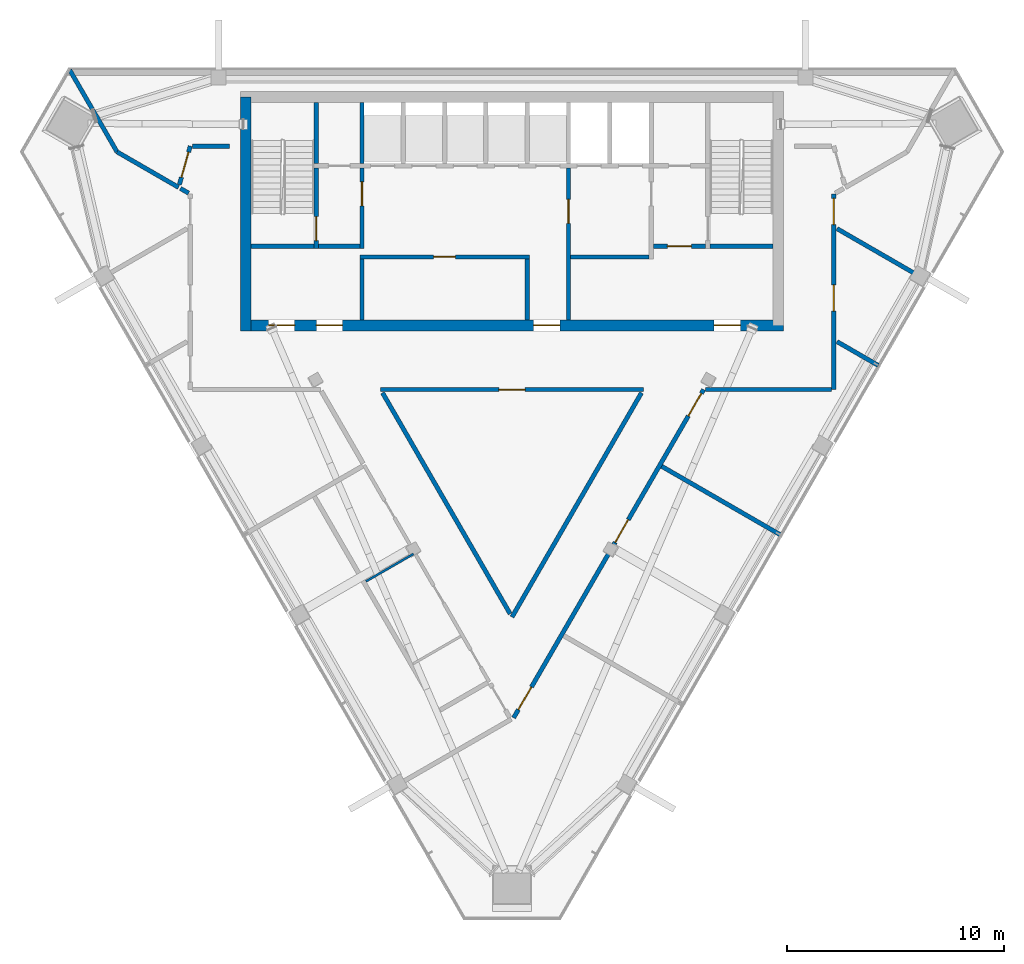
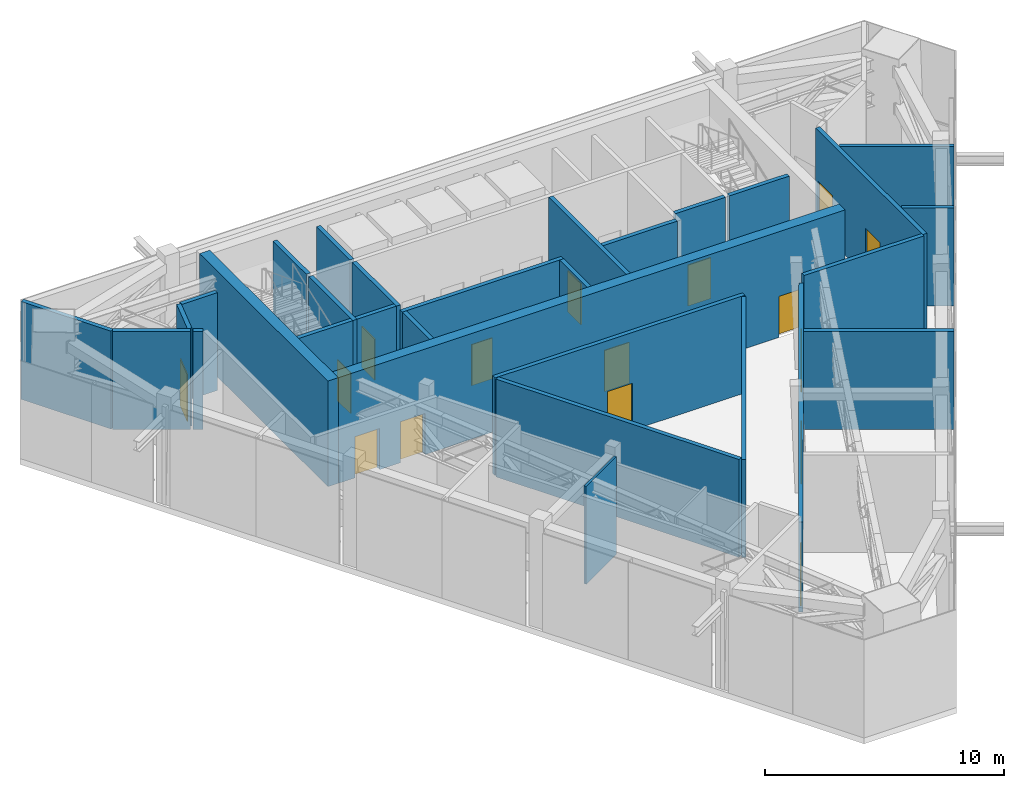
# One storey, part 8 of 13: 30 walls, 16 doors, 16 openings.
"""IFC4 building model written with IfcOpenShell, lengths in metres."""

from ifc_helpers import new_model, si_unit, direction, frame, frame_2d, origin, place, context, subcontext, project, spatial, rectangle, extrude, material, layer, layer_set, type_object, element, fill, save


model = new_model("IFC4")

# Units and contexts
model_context = context("Model", 3, precision=1e-05, world=origin(), true_north=direction((0.0, 1.0)))
body_context = subcontext(model_context, "Body", "Model", "MODEL_VIEW")
ifc_project = project(units=[si_unit("LENGTHUNIT", "METRE"), si_unit("AREAUNIT", "SQUARE_METRE"), si_unit("VOLUMEUNIT", "CUBIC_METRE"), si_unit("PLANEANGLEUNIT", "RADIAN"), si_unit("MASSUNIT", "GRAM", prefix="KILO")], contexts=[model_context])

# Site, building, storey
site_placement = place(None, origin())
site = spatial("IfcSite", under=ifc_project, at=site_placement, CompositionType="ELEMENT")
building_placement = place(site_placement, origin())
building = spatial("IfcBuilding", under=site, at=building_placement, Name="Altiplano Prism Tower", CompositionType="ELEMENT")
storey_placement = place(building_placement, frame((0.0, 0.0, 286.0)))
storey = spatial("IfcBuildingStorey", under=building, at=storey_placement, Name="L74", CompositionType="ELEMENT", Elevation=286.0)

# Wall, openings, doors
ifc_material_1 = material(Name="Concrete C60/75", Category="concrete")
ifc_layer_1 = layer(ifc_material_1, 0.5)
ifc_layer_set_1 = layer_set([ifc_layer_1], Name="Concrete C60/75")
wall_type_1 = type_object("IfcWallType", Name="Core wall 500", PredefinedType="SHEAR", material=ifc_layer_set_1)
wall_1_placement = place(storey_placement, frame((72.75, 93.14990234375, 0.0), z_axis=(0.0, 0.0, 1.0), x_axis=(1.0, 0.0, 0.0)))
wall_1 = element("IfcWall", 1, at=wall_1_placement, inside=storey, type_object=wall_type_1, Name="Core wall S L74", PredefinedType="SHEAR", context=body_context, shape_type="SweptSolid", body=[
    extrude(rectangle(XDim=24.75, YDim=0.5, at=frame_2d((12.375, 0.0))), origin(), (0.0, 0.0, 1.0), 5.39990234375),
])
opening_1_placement = place(wall_1_placement, frame((1.050048828125, 0.0, 0.0)))
opening_1 = element("IfcOpeningElement", 2, at=opening_1_placement, cuts=wall_1, Name="Opening D3625", PredefinedType="OPENING", context=body_context, shape_type="SweptSolid", body=[
    extrude(rectangle(XDim=1.199951171875, YDim=2.10009765625, at=frame_2d((0.60009765625, 1.050048828125))), frame((0.0, 0.260498046875, 0.0), z_axis=(0.0, -1.0, 0.0), x_axis=(1.0, 0.0, 0.0)), (0.0, 0.0, 1.0), 0.52099609375),
])
opening_2_placement = place(wall_1_placement, frame((3.25, 0.0, 0.0)))
opening_2 = element("IfcOpeningElement", 3, at=opening_2_placement, cuts=wall_1, Name="Opening D3626", PredefinedType="OPENING", context=body_context, shape_type="SweptSolid", body=[
    extrude(rectangle(XDim=1.199951171875, YDim=2.10009765625, at=frame_2d((0.60009765625, 1.050048828125))), frame((0.0, 0.260498046875, 0.0), z_axis=(0.0, -1.0, 0.0), x_axis=(1.0, 0.0, 0.0)), (0.0, 0.0, 1.0), 0.52099609375),
])
opening_3_placement = place(wall_1_placement, frame((13.25, 0.0, 0.0)))
opening_3 = element("IfcOpeningElement", 4, at=opening_3_placement, cuts=wall_1, Name="Opening D3627", PredefinedType="OPENING", context=body_context, shape_type="SweptSolid", body=[
    extrude(rectangle(XDim=1.199951171875, YDim=2.10009765625, at=frame_2d((0.60009765625, 1.050048828125))), frame((0.0, 0.260498046875, 0.0), z_axis=(0.0, -1.0, 0.0), x_axis=(1.0, 0.0, 0.0)), (0.0, 0.0, 1.0), 0.52099609375),
])
opening_4_placement = place(wall_1_placement, frame((21.550048828125, 0.0, 0.0)))
opening_4 = element("IfcOpeningElement", 5, at=opening_4_placement, cuts=wall_1, Name="Opening D3630", PredefinedType="OPENING", context=body_context, shape_type="SweptSolid", body=[
    extrude(rectangle(XDim=1.199951171875, YDim=2.10009765625, at=frame_2d((0.60009765625, 1.050048828125))), frame((0.0, 0.260498046875, 0.0), z_axis=(0.0, -1.0, 0.0), x_axis=(1.0, 0.0, 0.0)), (0.0, 0.0, 1.0), 0.52099609375),
])
ifc_material_2 = material(Name="Fire-rated steel door", Category="steel")
door_type_1 = type_object("IfcDoorType", Name="Core room door 1200 x 2100", OperationType="NOTDEFINED", PredefinedType="NOTDEFINED", material=ifc_material_2)
door_1_placement = place(opening_4_placement, origin())
door_1 = element("IfcDoor", 6, at=door_1_placement, inside=storey, type_object=door_type_1, Name="Core room door D3630", OperationType="SINGLE_SWING_RIGHT", OverallHeight=2.10009765625, OverallWidth=1.199951171875, PredefinedType="NOTDEFINED", context=body_context, shape_type="SweptSolid", body=[
    extrude(rectangle(XDim=1.199951171875, YDim=2.10009765625, at=frame_2d((0.60009765625, 1.050048828125))), frame((0.0, 0.02490234375, 0.0), z_axis=(0.0, -1.0, 0.0), x_axis=(1.0, 0.0, 0.0)), (0.0, 0.0, 1.0), 0.050048828125),
])
fill(opening_4, door_1)
door_type_2 = type_object("IfcDoorType", Name="Lobby fire door 1200 x 2100", OperationType="NOTDEFINED", PredefinedType="NOTDEFINED", material=ifc_material_2)
door_2_placement = place(opening_1_placement, origin())
door_2 = element("IfcDoor", 7, at=door_2_placement, inside=storey, type_object=door_type_2, Name="Lobby fire door D3625", OperationType="SINGLE_SWING_RIGHT", OverallHeight=2.10009765625, OverallWidth=1.199951171875, PredefinedType="NOTDEFINED", context=body_context, shape_type="SweptSolid", body=[
    extrude(rectangle(XDim=1.199951171875, YDim=2.10009765625, at=frame_2d((0.60009765625, 1.050048828125))), frame((0.0, 0.02490234375, 0.0), z_axis=(0.0, -1.0, 0.0), x_axis=(1.0, 0.0, 0.0)), (0.0, 0.0, 1.0), 0.050048828125),
])
fill(opening_1, door_2)
door_3_placement = place(opening_2_placement, origin())
door_3 = element("IfcDoor", 8, at=door_3_placement, inside=storey, type_object=door_type_2, Name="Lobby fire door D3626", OperationType="SINGLE_SWING_LEFT", OverallHeight=2.10009765625, OverallWidth=1.199951171875, PredefinedType="NOTDEFINED", context=body_context, shape_type="SweptSolid", body=[
    extrude(rectangle(XDim=1.199951171875, YDim=2.10009765625, at=frame_2d((0.60009765625, 1.050048828125))), frame((0.0, 0.02490234375, 0.0), z_axis=(0.0, -1.0, 0.0), x_axis=(1.0, 0.0, 0.0)), (0.0, 0.0, 1.0), 0.050048828125),
])
fill(opening_2, door_3)
door_4_placement = place(opening_3_placement, origin())
door_4 = element("IfcDoor", 9, at=door_4_placement, inside=storey, type_object=door_type_2, Name="Lobby fire door D3627", OperationType="SINGLE_SWING_RIGHT", OverallHeight=2.10009765625, OverallWidth=1.199951171875, PredefinedType="NOTDEFINED", context=body_context, shape_type="SweptSolid", body=[
    extrude(rectangle(XDim=1.199951171875, YDim=2.10009765625, at=frame_2d((0.60009765625, 1.050048828125))), frame((0.0, 0.02490234375, 0.0), z_axis=(0.0, -1.0, 0.0), x_axis=(1.0, 0.0, 0.0)), (0.0, 0.0, 1.0), 0.050048828125),
])
fill(opening_3, door_4)

# Walls
wall_2_placement = place(storey_placement, frame((72.75, 103.64990234375, 0.0), z_axis=(0.0, 0.0, 1.0), x_axis=(0.0, -1.0, 0.0)))
element("IfcWall", 10, at=wall_2_placement, inside=storey, type_object=wall_type_1, Name="Core wall W L74", PredefinedType="SHEAR", context=body_context, shape_type="SweptSolid", body=[
    extrude(rectangle(XDim=10.75, YDim=0.5, at=frame_2d((5.375, 0.0))), origin(), (0.0, 0.0, 1.0), 5.39990234375),
])
ifc_material_3 = material(Name="Plasterboard on steel stud", Category="steel")
ifc_layer_2 = layer(ifc_material_3, 0.10009765625)
ifc_layer_set_2 = layer_set([ifc_layer_2], Name="Plasterboard on steel stud")
wall_type_2 = type_object("IfcWallType", Name="Partition 100 wet", PredefinedType="PARTITIONING", material=ifc_layer_set_2)
wall_3_placement = place(storey_placement, frame((78.27978515625, 81.375, 0.0), z_axis=(0.0, 0.0, 1.0), x_axis=(0.866039067339, 0.499976333282, 0.0)))
element("IfcWall", 11, at=wall_3_placement, inside=storey, type_object=wall_type_2, Name="Partition P03 L74 032", PredefinedType="PARTITIONING", context=body_context, shape_type="SweptSolid", body=[
    extrude(rectangle(XDim=2.52490234375, YDim=0.10009765625, at=frame_2d((1.262451171875, 0.0))), origin(), (0.0, 0.0, 1.0), 5.0),
])
ifc_layer_3 = layer(ifc_material_3, 0.199951171875)
ifc_layer_set_3 = layer_set([ifc_layer_3], Name="Plasterboard on steel stud")
wall_type_3 = type_object("IfcWallType", Name="Partition 200 plant", PredefinedType="PARTITIONING", material=ifc_layer_set_3)
wall_4_placement = place(storey_placement, frame((69.746826171875, 99.451416015625, 0.0), z_axis=(0.0, 0.0, 1.0), x_axis=(0.866101796549, -0.4998676605, 0.0)))
element("IfcWall", 12, at=wall_4_placement, inside=storey, type_object=wall_type_3, Name="Partition P04 L74 001", PredefinedType="PARTITIONING", context=body_context, shape_type="SweptSolid", body=[
    extrude(rectangle(XDim=0.4365234375, YDim=0.199951171875, at=frame_2d((0.21826171875, 0.0))), origin(), (0.0, 0.0, 1.0), 5.0),
])

# Wall, openings, doors
wall_5_placement = place(storey_placement, frame((85.07421875, 75.099365234375, 0.0), z_axis=(0.0, 0.0, 1.0), x_axis=(0.500888985605, 0.865511538976, 0.0)))
wall_5 = element("IfcWall", 13, at=wall_5_placement, inside=storey, type_object=wall_type_3, Name="Partition P04 L74 006", PredefinedType="PARTITIONING", context=body_context, shape_type="SweptSolid", body=[
    extrude(rectangle(XDim=17.447021484375, YDim=0.199951171875, at=frame_2d((8.7236328125, 0.0))), origin(), (0.0, 0.0, 1.0), 4.60009765625),
])
opening_5_placement = place(wall_5_placement, frame((0.43994140625, 0.0, 0.0)))
opening_5 = element("IfcOpeningElement", 14, at=opening_5_placement, cuts=wall_5, Name="Opening D2295", PredefinedType="OPENING", context=body_context, shape_type="SweptSolid", body=[
    extrude(rectangle(XDim=1.199951171875, YDim=2.39990234375, at=frame_2d((0.60009765625, 1.199951171875))), frame((0.0, 0.1103515625, 0.0), z_axis=(0.0, -1.0, 0.0), x_axis=(1.0, 0.0, 0.0)), (0.0, 0.0, 1.0), 0.220947265625),
])
opening_6_placement = place(wall_5_placement, frame((9.3291015625, 0.0, 0.0)))
opening_6 = element("IfcOpeningElement", 15, at=opening_6_placement, cuts=wall_5, Name="Opening D2296", PredefinedType="OPENING", context=body_context, shape_type="SweptSolid", body=[
    extrude(rectangle(XDim=1.199951171875, YDim=2.39990234375, at=frame_2d((0.60009765625, 1.199951171875))), frame((0.0, 0.1103515625, 0.0), z_axis=(0.0, -1.0, 0.0), x_axis=(1.0, 0.0, 0.0)), (0.0, 0.0, 1.0), 0.220947265625),
])
opening_7_placement = place(wall_5_placement, frame((16.047119140625, 0.0, 0.0)))
opening_7 = element("IfcOpeningElement", 16, at=opening_7_placement, cuts=wall_5, Name="Opening D2297", PredefinedType="OPENING", context=body_context, shape_type="SweptSolid", body=[
    extrude(rectangle(XDim=1.199951171875, YDim=2.39990234375, at=frame_2d((0.60009765625, 1.199951171875))), frame((0.0, 0.1103515625, 0.0), z_axis=(0.0, -1.0, 0.0), x_axis=(1.0, 0.0, 0.0)), (0.0, 0.0, 1.0), 0.220947265625),
])
ifc_material_4 = material(Name="Painted steel door leaf", Category="steel")
door_type_3 = type_object("IfcDoorType", Name="Plant room door 1200 x 2400", OperationType="NOTDEFINED", PredefinedType="NOTDEFINED", material=ifc_material_4)
door_5_placement = place(opening_5_placement, origin())
door_5 = element("IfcDoor", 17, at=door_5_placement, inside=storey, type_object=door_type_3, Name="Door D2295", OperationType="SINGLE_SWING_RIGHT", OverallHeight=2.39990234375, OverallWidth=1.199951171875, PredefinedType="NOTDEFINED", context=body_context, shape_type="SweptSolid", body=[
    extrude(rectangle(XDim=1.199951171875, YDim=2.39990234375, at=frame_2d((0.60009765625, 1.199951171875))), frame((0.0, 0.02490234375, 0.0), z_axis=(0.0, -1.0, 0.0), x_axis=(1.0, 0.0, 0.0)), (0.0, 0.0, 1.0), 0.050048828125),
])
fill(opening_5, door_5)
door_6_placement = place(opening_6_placement, origin())
door_6 = element("IfcDoor", 18, at=door_6_placement, inside=storey, type_object=door_type_3, Name="Door D2296", OperationType="SINGLE_SWING_RIGHT", OverallHeight=2.39990234375, OverallWidth=1.199951171875, PredefinedType="NOTDEFINED", context=body_context, shape_type="SweptSolid", body=[
    extrude(rectangle(XDim=1.199951171875, YDim=2.39990234375, at=frame_2d((0.60009765625, 1.199951171875))), frame((0.0, 0.02490234375, 0.0), z_axis=(0.0, -1.0, 0.0), x_axis=(1.0, 0.0, 0.0)), (0.0, 0.0, 1.0), 0.050048828125),
])
fill(opening_6, door_6)
door_7_placement = place(opening_7_placement, origin())
door_7 = element("IfcDoor", 19, at=door_7_placement, inside=storey, type_object=door_type_3, Name="Door D2297", OperationType="SINGLE_SWING_RIGHT", OverallHeight=2.39990234375, OverallWidth=1.199951171875, PredefinedType="NOTDEFINED", context=body_context, shape_type="SweptSolid", body=[
    extrude(rectangle(XDim=1.199951171875, YDim=2.39990234375, at=frame_2d((0.60009765625, 1.199951171875))), frame((0.0, 0.02490234375, 0.0), z_axis=(0.0, -1.0, 0.0), x_axis=(1.0, 0.0, 0.0)), (0.0, 0.0, 1.0), 0.050048828125),
])
fill(opening_7, door_7)

# Wall
wall_6_placement = place(storey_placement, frame((93.899658203125, 90.199951171875, 0.0), z_axis=(0.0, 0.0, 1.0), x_axis=(1.0, 0.0, 0.0)))
element("IfcWall", 20, at=wall_6_placement, inside=storey, type_object=wall_type_3, Name="Partition P04 L74 007", PredefinedType="PARTITIONING", context=body_context, shape_type="SweptSolid", body=[
    extrude(rectangle(XDim=5.80029296875, YDim=0.199951171875, at=frame_2d((2.900146484375, 0.0))), origin(), (0.0, 0.0, 1.0), 5.0),
])

# Wall, openings, doors
wall_7_placement = place(storey_placement, frame((99.800048828125, 90.199951171875, 0.0), z_axis=(0.0, 0.0, 1.0), x_axis=(0.0, 1.0, 0.0)))
wall_7 = element("IfcWall", 21, at=wall_7_placement, inside=storey, type_object=wall_type_3, Name="Partition P04 L74 008", PredefinedType="PARTITIONING", context=body_context, shape_type="SweptSolid", body=[
    extrude(rectangle(XDim=8.989990234375, YDim=0.199951171875, at=frame_2d((4.4951171875, 0.0))), origin(), (0.0, 0.0, 1.0), 5.0),
])
opening_8_placement = place(wall_7_placement, frame((3.612060546875, 0.0, 0.0)))
opening_8 = element("IfcOpeningElement", 22, at=opening_8_placement, cuts=wall_7, Name="Opening D2298", PredefinedType="OPENING", context=body_context, shape_type="SweptSolid", body=[
    extrude(rectangle(XDim=1.199951171875, YDim=2.39990234375, at=frame_2d((0.60009765625, 1.199951171875))), frame((0.0, 0.1103515625, 0.0), z_axis=(0.0, -1.0, 0.0), x_axis=(1.0, 0.0, 0.0)), (0.0, 0.0, 1.0), 0.220947265625),
])
opening_9_placement = place(wall_7_placement, frame((7.590087890625, 0.0, 0.0)))
opening_9 = element("IfcOpeningElement", 23, at=opening_9_placement, cuts=wall_7, Name="Opening D2299", PredefinedType="OPENING", context=body_context, shape_type="SweptSolid", body=[
    extrude(rectangle(XDim=1.199951171875, YDim=2.39990234375, at=frame_2d((0.60009765625, 1.199951171875))), frame((0.0, 0.1103515625, 0.0), z_axis=(0.0, -1.0, 0.0), x_axis=(1.0, 0.0, 0.0)), (0.0, 0.0, 1.0), 0.220947265625),
])
door_8_placement = place(opening_8_placement, origin())
door_8 = element("IfcDoor", 24, at=door_8_placement, inside=storey, type_object=door_type_3, Name="Door D2298", OperationType="SINGLE_SWING_RIGHT", OverallHeight=2.39990234375, OverallWidth=1.199951171875, PredefinedType="NOTDEFINED", context=body_context, shape_type="SweptSolid", body=[
    extrude(rectangle(XDim=1.199951171875, YDim=2.39990234375, at=frame_2d((0.60009765625, 1.199951171875))), frame((0.0, 0.02490234375, 0.0), z_axis=(0.0, -1.0, 0.0), x_axis=(1.0, 0.0, 0.0)), (0.0, 0.0, 1.0), 0.050048828125),
])
fill(opening_8, door_8)
door_9_placement = place(opening_9_placement, origin())
door_9 = element("IfcDoor", 25, at=door_9_placement, inside=storey, type_object=door_type_3, Name="Door D2299", OperationType="SINGLE_SWING_LEFT", OverallHeight=2.39990234375, OverallWidth=1.199951171875, PredefinedType="NOTDEFINED", context=body_context, shape_type="SweptSolid", body=[
    extrude(rectangle(XDim=1.199951171875, YDim=2.39990234375, at=frame_2d((0.60009765625, 1.199951171875))), frame((0.0, 0.02490234375, 0.0), z_axis=(0.0, -1.0, 0.0), x_axis=(1.0, 0.0, 0.0)), (0.0, 0.0, 1.0), 0.050048828125),
])
fill(opening_9, door_9)

# Wall
wall_8_placement = place(storey_placement, frame((72.0, 101.39990234375, 0.0), z_axis=(0.0, 0.0, 1.0), x_axis=(-1.0, 0.0, 0.0)))
element("IfcWall", 26, at=wall_8_placement, inside=storey, type_object=wall_type_3, Name="Partition P04 L74 015", PredefinedType="PARTITIONING", context=body_context, shape_type="SweptSolid", body=[
    extrude(rectangle(XDim=1.703857421875, YDim=0.199951171875, at=frame_2d((0.85205078125, 0.0))), origin(), (0.0, 0.0, 1.0), 5.0),
])

# Wall, opening, door
wall_9_placement = place(storey_placement, frame((70.199951171875, 101.39990234375, 0.0), z_axis=(0.0, 0.0, 1.0), x_axis=(-0.27204752746, -0.962283816139, 0.0)))
wall_9 = element("IfcWall", 27, at=wall_9_placement, inside=storey, type_object=wall_type_3, Name="Partition P04 L74 016", PredefinedType="PARTITIONING", context=body_context, shape_type="SweptSolid", body=[
    extrude(rectangle(XDim=1.845947265625, YDim=0.199951171875, at=frame_2d((0.9228515625, 0.0))), origin(), (0.0, 0.0, 1.0), 5.0),
])
opening_10_placement = place(wall_9_placement, frame((0.2890625, 0.0, 0.0)))
opening_10 = element("IfcOpeningElement", 28, at=opening_10_placement, cuts=wall_9, Name="Opening D2302", PredefinedType="OPENING", context=body_context, shape_type="SweptSolid", body=[
    extrude(rectangle(XDim=1.199951171875, YDim=2.39990234375, at=frame_2d((0.60009765625, 1.199951171875))), frame((0.0, 0.1103515625, 0.0), z_axis=(0.0, -1.0, 0.0), x_axis=(1.0, 0.0, 0.0)), (0.0, 0.0, 1.0), 0.220947265625),
])
door_10_placement = place(opening_10_placement, origin())
door_10 = element("IfcDoor", 29, at=door_10_placement, inside=storey, type_object=door_type_3, Name="Door D2302", OperationType="SINGLE_SWING_LEFT", OverallHeight=2.39990234375, OverallWidth=1.199951171875, PredefinedType="NOTDEFINED", context=body_context, shape_type="SweptSolid", body=[
    extrude(rectangle(XDim=1.199951171875, YDim=2.39990234375, at=frame_2d((0.60009765625, 1.199951171875))), frame((0.0, 0.02490234375, 0.0), z_axis=(0.0, -1.0, 0.0), x_axis=(1.0, 0.0, 0.0)), (0.0, 0.0, 1.0), 0.050048828125),
])
fill(opening_10, door_10)

# Walls
wall_10_placement = place(storey_placement, frame((69.662841796875, 99.5, 0.0), z_axis=(0.0, 0.0, 1.0), x_axis=(-0.866006586452, 0.50003259116, 0.0)))
element("IfcWall", 30, at=wall_10_placement, inside=storey, type_object=wall_type_3, Name="Partition P04 L74 019", PredefinedType="PARTITIONING", context=body_context, shape_type="SweptSolid", body=[
    extrude(rectangle(XDim=3.270751953125, YDim=0.199951171875, at=frame_2d((1.63525390625, 0.0))), origin(), (0.0, 0.0, 1.0), 5.0),
])
wall_11_placement = place(storey_placement, frame((66.830322265625, 101.135498046875, 0.0), z_axis=(0.0, 0.0, 1.0), x_axis=(-0.500035223315, 0.866005066639, 0.0)))
element("IfcWall", 31, at=wall_11_placement, inside=storey, type_object=wall_type_3, Name="Partition P04 L74 020", PredefinedType="PARTITIONING", context=body_context, shape_type="SweptSolid", body=[
    extrude(rectangle(XDim=4.346923828125, YDim=0.199951171875, at=frame_2d((2.17333984375, 0.0))), origin(), (0.0, 0.0, 1.0), 5.0),
])
wall_12_placement = place(storey_placement, frame((97.34521484375, 83.517578125, 0.0), z_axis=(0.0, 0.0, 1.0), x_axis=(-0.866020485599, 0.50000851845, 0.0)))
element("IfcWall", 32, at=wall_12_placement, inside=storey, type_object=wall_type_3, Name="Partition P04 L74 027", PredefinedType="PARTITIONING", context=body_context, shape_type="SweptSolid", body=[
    extrude(rectangle(XDim=6.30419921875, YDim=0.199951171875, at=frame_2d((3.152099609375, 0.0))), origin(), (0.0, 0.0, 1.0), 5.0),
])
wall_13_placement = place(storey_placement, frame((101.84521484375, 91.311767578125, 0.0), z_axis=(0.0, 0.0, 1.0), x_axis=(-0.86602396135, 0.500002498361, 0.0)))
element("IfcWall", 33, at=wall_13_placement, inside=storey, type_object=wall_type_3, Name="Partition P04 L74 028", PredefinedType="PARTITIONING", context=body_context, shape_type="SweptSolid", body=[
    extrude(rectangle(XDim=2.1884765625, YDim=0.199951171875, at=frame_2d((1.09423828125, 0.0))), origin(), (0.0, 0.0, 1.0), 5.0),
])
wall_14_placement = place(storey_placement, frame((104.09521484375, 95.208984375, 0.0), z_axis=(0.0, 0.0, 1.0), x_axis=(-0.86604373993, 0.499968239519, 0.0)))
element("IfcWall", 34, at=wall_14_placement, inside=storey, type_object=wall_type_3, Name="Partition P04 L74 029", PredefinedType="PARTITIONING", context=body_context, shape_type="SweptSolid", body=[
    extrude(rectangle(XDim=4.786376953125, YDim=0.199951171875, at=frame_2d((2.39306640625, 0.0))), origin(), (0.0, 0.0, 1.0), 5.0),
])

# Wall, opening, door
ifc_layer_4 = layer(ifc_material_3, 0.199951171875)
ifc_layer_set_4 = layer_set([ifc_layer_4], Name="Plasterboard on steel stud")
wall_type_4 = type_object("IfcWallType", Name="Partition 200 refuge", PredefinedType="PARTITIONING", material=ifc_layer_set_4)
wall_15_placement = place(storey_placement, frame((78.958251953125, 90.199951171875, 0.0), z_axis=(0.0, 0.0, 1.0), x_axis=(1.0, 0.0, 0.0)))
wall_15 = element("IfcWall", 35, at=wall_15_placement, inside=storey, type_object=wall_type_4, Name="Partition P05 L74 010", PredefinedType="PARTITIONING", context=body_context, shape_type="SweptSolid", body=[
    extrude(rectangle(XDim=12.08349609375, YDim=0.199951171875, at=frame_2d((6.041748046875, 0.0))), origin(), (0.0, 0.0, 1.0), 5.0),
])
opening_11_placement = place(wall_15_placement, frame((5.44189453125, 0.0, 0.0)))
opening_11 = element("IfcOpeningElement", 36, at=opening_11_placement, cuts=wall_15, Name="Opening D2300", PredefinedType="OPENING", context=body_context, shape_type="SweptSolid", body=[
    extrude(rectangle(XDim=1.199951171875, YDim=2.39990234375, at=frame_2d((0.60009765625, 1.199951171875))), frame((0.0, 0.1103515625, 0.0), z_axis=(0.0, -1.0, 0.0), x_axis=(1.0, 0.0, 0.0)), (0.0, 0.0, 1.0), 0.220947265625),
])
door_type_4 = type_object("IfcDoorType", Name="Refuge area door 1200 x 2400", OperationType="NOTDEFINED", PredefinedType="NOTDEFINED", material=ifc_material_4)
door_11_placement = place(opening_11_placement, origin())
door_11 = element("IfcDoor", 37, at=door_11_placement, inside=storey, type_object=door_type_4, Name="Door D2300", OperationType="SINGLE_SWING_RIGHT", OverallHeight=2.39990234375, OverallWidth=1.199951171875, PredefinedType="NOTDEFINED", context=body_context, shape_type="SweptSolid", body=[
    extrude(rectangle(XDim=1.199951171875, YDim=2.39990234375, at=frame_2d((0.60009765625, 1.199951171875))), frame((0.0, 0.02490234375, 0.0), z_axis=(0.0, -1.0, 0.0), x_axis=(1.0, 0.0, 0.0)), (0.0, 0.0, 1.0), 0.050048828125),
])
fill(opening_11, door_11)

# Walls
wall_16_placement = place(storey_placement, frame((90.955322265625, 90.050048828125, 0.0), z_axis=(0.0, 0.0, 1.0), x_axis=(-0.500008124526, -0.866020713036, 0.0)))
element("IfcWall", 38, at=wall_16_placement, inside=storey, type_object=wall_type_4, Name="Partition P05 L74 011", PredefinedType="PARTITIONING", context=body_context, shape_type="SweptSolid", body=[
    extrude(rectangle(XDim=11.910400390625, YDim=0.199951171875, at=frame_2d((5.955078125, 0.0))), origin(), (0.0, 0.0, 1.0), 5.0),
])
wall_17_placement = place(storey_placement, frame((84.913330078125, 79.88525390625, 0.0), z_axis=(0.0, 0.0, 1.0), x_axis=(-0.500000336066, 0.866025209756, 0.0)))
element("IfcWall", 39, at=wall_17_placement, inside=storey, type_object=wall_type_4, Name="Partition P05 L74 012", PredefinedType="PARTITIONING", context=body_context, shape_type="SweptSolid", body=[
    extrude(rectangle(XDim=11.7373046875, YDim=0.199951171875, at=frame_2d((5.86865234375, 0.0))), origin(), (0.0, 0.0, 1.0), 5.0),
])

# Wall, opening, door
ifc_layer_5 = layer(ifc_material_1, 0.199951171875)
ifc_layer_set_5 = layer_set([ifc_layer_5], Name="Concrete C60/75")
wall_type_5 = type_object("IfcWallType", Name="Refuge wall 200", PredefinedType="PARTITIONING", material=ifc_layer_set_5)
wall_18_placement = place(storey_placement, frame((87.60009765625, 93.39990234375, 0.0), z_axis=(0.0, 0.0, 1.0), x_axis=(0.0, 1.0, 0.0)))
wall_18 = element("IfcWall", 40, at=wall_18_placement, inside=storey, type_object=wall_type_5, Name="Refuge wall L74", PredefinedType="PARTITIONING", context=body_context, shape_type="SweptSolid", body=[
    extrude(rectangle(XDim=7.0, YDim=0.199951171875, at=frame_2d((3.5, 0.0))), origin(), (0.0, 0.0, 1.0), 5.0),
])
opening_12_placement = place(wall_18_placement, frame((4.449951171875, 0.0, 0.0)))
opening_12 = element("IfcOpeningElement", 41, at=opening_12_placement, cuts=wall_18, Name="Opening D3623", PredefinedType="OPENING", context=body_context, shape_type="SweptSolid", body=[
    extrude(rectangle(XDim=1.10009765625, YDim=2.10009765625, at=frame_2d((0.550048828125, 1.050048828125))), frame((0.0, 0.1103515625, 0.0), z_axis=(0.0, -1.0, 0.0), x_axis=(1.0, 0.0, 0.0)), (0.0, 0.0, 1.0), 0.220947265625),
])
door_type_5 = type_object("IfcDoorType", Name="Vestibule fire door 1100 x 2100", OperationType="NOTDEFINED", PredefinedType="NOTDEFINED", material=ifc_material_2)
door_12_placement = place(opening_12_placement, origin())
door_12 = element("IfcDoor", 42, at=door_12_placement, inside=storey, type_object=door_type_5, Name="Vestibule fire door D3623", OperationType="SINGLE_SWING_RIGHT", OverallHeight=2.10009765625, OverallWidth=1.10009765625, PredefinedType="NOTDEFINED", context=body_context, shape_type="SweptSolid", body=[
    extrude(rectangle(XDim=1.10009765625, YDim=2.10009765625, at=frame_2d((0.550048828125, 1.050048828125))), frame((0.0, 0.02490234375, 0.0), z_axis=(0.0, -1.0, 0.0), x_axis=(1.0, 0.0, 0.0)), (0.0, 0.0, 1.0), 0.050048828125),
])
fill(opening_12, door_12)

# Wall
wall_19_placement = place(storey_placement, frame((87.699951171875, 96.300048828125, 0.0), z_axis=(0.0, 0.0, 1.0), x_axis=(1.0, 0.0, 0.0)))
element("IfcWall", 43, at=wall_19_placement, inside=storey, type_object=wall_type_5, Name="Refuge wall L74", PredefinedType="PARTITIONING", context=body_context, shape_type="SweptSolid", body=[
    extrude(rectangle(XDim=3.60009765625, YDim=0.199951171875, at=frame_2d((1.800048828125, 0.0))), origin(), (0.0, 0.0, 1.0), 5.0),
])

# Wall, opening, door
wall_20_placement = place(storey_placement, frame((91.5, 96.800048828125, 0.0), z_axis=(0.0, 0.0, 1.0), x_axis=(1.0, 0.0, 0.0)))
wall_20 = element("IfcWall", 44, at=wall_20_placement, inside=storey, type_object=wall_type_5, Name="Refuge wall L74", PredefinedType="PARTITIONING", context=body_context, shape_type="SweptSolid", body=[
    extrude(rectangle(XDim=2.39990234375, YDim=0.199951171875, at=frame_2d((1.199951171875, 0.0))), origin(), (0.0, 0.0, 1.0), 5.0),
])
opening_13_placement = place(wall_20_placement, frame((0.64990234375, 0.0, 0.0)))
opening_13 = element("IfcOpeningElement", 45, at=opening_13_placement, cuts=wall_20, Name="Opening D3631", PredefinedType="OPENING", context=body_context, shape_type="SweptSolid", body=[
    extrude(rectangle(XDim=1.10009765625, YDim=2.10009765625, at=frame_2d((0.550048828125, 1.050048828125))), frame((0.0, 0.1103515625, 0.0), z_axis=(0.0, -1.0, 0.0), x_axis=(1.0, 0.0, 0.0)), (0.0, 0.0, 1.0), 0.220947265625),
])
door_13_placement = place(opening_13_placement, origin())
door_13 = element("IfcDoor", 46, at=door_13_placement, inside=storey, type_object=door_type_5, Name="Vestibule fire door D3631", OperationType="SINGLE_SWING_LEFT", OverallHeight=2.10009765625, OverallWidth=1.10009765625, PredefinedType="NOTDEFINED", context=body_context, shape_type="SweptSolid", body=[
    extrude(rectangle(XDim=1.10009765625, YDim=2.10009765625, at=frame_2d((0.550048828125, 1.050048828125))), frame((0.0, 0.02490234375, 0.0), z_axis=(0.0, -1.0, 0.0), x_axis=(1.0, 0.0, 0.0)), (0.0, 0.0, 1.0), 0.050048828125),
])
fill(opening_13, door_13)

# Walls
ifc_layer_6 = layer(ifc_material_1, 0.199951171875)
ifc_layer_set_6 = layer_set([ifc_layer_6], Name="Concrete C60/75")
wall_type_6 = type_object("IfcWallType", Name="Shaft wall 200", PredefinedType="SOLIDWALL", material=ifc_layer_set_6)
wall_21_placement = place(storey_placement, frame((78.10009765625, 100.60009765625, 0.0), z_axis=(0.0, 0.0, 1.0), x_axis=(0.0, 1.0, 0.0)))
element("IfcWall", 47, at=wall_21_placement, inside=storey, type_object=wall_type_6, Name="Shaft wall L74", PredefinedType="SOLIDWALL", context=body_context, shape_type="SweptSolid", body=[
    extrude(rectangle(XDim=2.7998046875, YDim=0.199951171875, at=frame_2d((1.39990234375, 0.0))), origin(), (0.0, 0.0, 1.0), 5.0),
])
ifc_layer_7 = layer(ifc_material_1, 0.199951171875)
ifc_layer_set_7 = layer_set([ifc_layer_7], Name="Concrete C60/75")
wall_type_7 = type_object("IfcWallType", Name="Stair wall 200", PredefinedType="SOLIDWALL", material=ifc_layer_set_7)
wall_22_placement = place(storey_placement, frame((73.0, 96.800048828125, 0.0), z_axis=(0.0, 0.0, 1.0), x_axis=(1.0, 0.0, 0.0)))
element("IfcWall", 48, at=wall_22_placement, inside=storey, type_object=wall_type_7, Name="Stair wall L74", PredefinedType="SOLIDWALL", context=body_context, shape_type="SweptSolid", body=[
    extrude(rectangle(XDim=2.89990234375, YDim=0.199951171875, at=frame_2d((1.449951171875, 0.0))), origin(), (0.0, 0.0, 1.0), 5.0),
])

# Wall, opening, door
wall_23_placement = place(storey_placement, frame((76.0, 96.699951171875, 0.0), z_axis=(0.0, 0.0, 1.0), x_axis=(0.0, 1.0, 0.0)))
wall_23 = element("IfcWall", 49, at=wall_23_placement, inside=storey, type_object=wall_type_7, Name="Stair wall L74", PredefinedType="SOLIDWALL", context=body_context, shape_type="SweptSolid", body=[
    extrude(rectangle(XDim=3.699951171875, YDim=0.199951171875, at=frame_2d((1.85009765625, 0.0))), origin(), (0.0, 0.0, 1.0), 5.0),
])
opening_14_placement = place(wall_23_placement, frame((0.35009765625, 0.0, 0.0)))
opening_14 = element("IfcOpeningElement", 50, at=opening_14_placement, cuts=wall_23, Name="Opening D3620", PredefinedType="OPENING", context=body_context, shape_type="SweptSolid", body=[
    extrude(rectangle(XDim=1.10009765625, YDim=2.10009765625, at=frame_2d((0.550048828125, 1.050048828125))), frame((0.0, 0.1103515625, 0.0), z_axis=(0.0, -1.0, 0.0), x_axis=(1.0, 0.0, 0.0)), (0.0, 0.0, 1.0), 0.220947265625),
])
door_type_6 = type_object("IfcDoorType", Name="Stair fire door 1100 x 2100", OperationType="NOTDEFINED", PredefinedType="NOTDEFINED", material=ifc_material_2)
door_14_placement = place(opening_14_placement, origin())
door_14 = element("IfcDoor", 51, at=door_14_placement, inside=storey, type_object=door_type_6, Name="Stair fire door D3620", OperationType="SINGLE_SWING_RIGHT", OverallHeight=2.10009765625, OverallWidth=1.10009765625, PredefinedType="NOTDEFINED", context=body_context, shape_type="SweptSolid", body=[
    extrude(rectangle(XDim=1.10009765625, YDim=2.10009765625, at=frame_2d((0.550048828125, 1.050048828125))), frame((0.0, 0.02490234375, 0.0), z_axis=(0.0, -1.0, 0.0), x_axis=(1.0, 0.0, 0.0)), (0.0, 0.0, 1.0), 0.050048828125),
])
fill(opening_14, door_14)

# Walls
wall_24_placement = place(storey_placement, frame((94.10009765625, 96.800048828125, 0.0), z_axis=(0.0, 0.0, 1.0), x_axis=(1.0, 0.0, 0.0)))
element("IfcWall", 52, at=wall_24_placement, inside=storey, type_object=wall_type_7, Name="Stair wall L74", PredefinedType="SOLIDWALL", context=body_context, shape_type="SweptSolid", body=[
    extrude(rectangle(XDim=2.89990234375, YDim=0.199951171875, at=frame_2d((1.449951171875, 0.0))), origin(), (0.0, 0.0, 1.0), 5.0),
])
wall_25_placement = place(storey_placement, frame((76.0, 100.60009765625, 0.0), z_axis=(0.0, 0.0, 1.0), x_axis=(0.0, 1.0, 0.0)))
element("IfcWall", 53, at=wall_25_placement, inside=storey, type_object=wall_type_7, Name="Stair wall L74", PredefinedType="SOLIDWALL", context=body_context, shape_type="SweptSolid", body=[
    extrude(rectangle(XDim=2.7998046875, YDim=0.199951171875, at=frame_2d((1.39990234375, 0.0))), origin(), (0.0, 0.0, 1.0), 5.0),
])
ifc_layer_8 = layer(ifc_material_1, 0.199951171875)
ifc_layer_set_8 = layer_set([ifc_layer_8], Name="Concrete C60/75")
wall_type_8 = type_object("IfcWallType", Name="Vestibule wall 200", PredefinedType="PARTITIONING", material=ifc_layer_set_8)
for number, where, z_axis, x_axis, name in (
    (54, (78.10009765625, 93.39990234375, 0.0), (0.0, 0.0, 1.0), (0.0, 1.0, 0.0), "Vestibule wall L74"),
    (55, (85.699951171875, 93.39990234375, 0.0), (0.0, 0.0, 1.0), (0.0, 1.0, 0.0), "Vestibule wall L74"),
):
    element("IfcWall", number, at=place(storey_placement, frame(where, z_axis=z_axis, x_axis=x_axis)), inside=storey, type_object=wall_type_8, Name=name, PredefinedType="PARTITIONING", context=body_context, shape_type="SweptSolid", body=[
        extrude(rectangle(XDim=2.800048828125, YDim=0.199951171875, at=frame_2d((1.39990234375, 0.0))), origin(), (0.0, 0.0, 1.0), 5.0),
    ])

# Wall, opening, door
wall_26_placement = place(storey_placement, frame((78.0, 96.300048828125, 0.0), z_axis=(0.0, 0.0, 1.0), x_axis=(1.0, 0.0, 0.0)))
wall_26 = element("IfcWall", 56, at=wall_26_placement, inside=storey, type_object=wall_type_8, Name="Vestibule wall L74", PredefinedType="PARTITIONING", context=body_context, shape_type="SweptSolid", body=[
    extrude(rectangle(XDim=7.800048828125, YDim=0.199951171875, at=frame_2d((3.89990234375, 0.0))), origin(), (0.0, 0.0, 1.0), 5.0),
])
opening_15_placement = place(wall_26_placement, frame((3.39990234375, 0.0, 0.0)))
opening_15 = element("IfcOpeningElement", 57, at=opening_15_placement, cuts=wall_26, Name="Opening D3632", PredefinedType="OPENING", context=body_context, shape_type="SweptSolid", body=[
    extrude(rectangle(XDim=1.0, YDim=2.10009765625, at=frame_2d((0.5, 1.050048828125))), frame((0.0, 0.1103515625, 0.0), z_axis=(0.0, -1.0, 0.0), x_axis=(1.0, 0.0, 0.0)), (0.0, 0.0, 1.0), 0.220947265625),
])
door_type_7 = type_object("IfcDoorType", Name="Core room door 1000 x 2100", OperationType="NOTDEFINED", PredefinedType="NOTDEFINED", material=ifc_material_2)
door_15_placement = place(opening_15_placement, origin())
door_15 = element("IfcDoor", 58, at=door_15_placement, inside=storey, type_object=door_type_7, Name="Core room door D3632", OperationType="SINGLE_SWING_RIGHT", OverallHeight=2.10009765625, OverallWidth=1.0, PredefinedType="NOTDEFINED", context=body_context, shape_type="SweptSolid", body=[
    extrude(rectangle(XDim=1.0, YDim=2.10009765625, at=frame_2d((0.5, 1.050048828125))), frame((0.0, 0.02490234375, 0.0), z_axis=(0.0, -1.0, 0.0), x_axis=(1.0, 0.0, 0.0)), (0.0, 0.0, 1.0), 0.050048828125),
])
fill(opening_15, door_15)

# Wall
wall_27_placement = place(storey_placement, frame((76.10009765625, 96.800048828125, 0.0), z_axis=(0.0, 0.0, 1.0), x_axis=(1.0, 0.0, 0.0)))
element("IfcWall", 59, at=wall_27_placement, inside=storey, type_object=wall_type_8, Name="Vestibule wall L74", PredefinedType="PARTITIONING", context=body_context, shape_type="SweptSolid", body=[
    extrude(rectangle(XDim=1.89990234375, YDim=0.199951171875, at=frame_2d((0.949951171875, 0.0))), origin(), (0.0, 0.0, 1.0), 5.0),
])

# Wall, opening, door
wall_28_placement = place(storey_placement, frame((78.10009765625, 96.699951171875, 0.0), z_axis=(0.0, 0.0, 1.0), x_axis=(0.0, 1.0, 0.0)))
wall_28 = element("IfcWall", 60, at=wall_28_placement, inside=storey, type_object=wall_type_8, Name="Vestibule wall L74", PredefinedType="PARTITIONING", context=body_context, shape_type="SweptSolid", body=[
    extrude(rectangle(XDim=3.699951171875, YDim=0.199951171875, at=frame_2d((1.85009765625, 0.0))), origin(), (0.0, 0.0, 1.0), 5.0),
])
opening_16_placement = place(wall_28_placement, frame((1.949951171875, 0.0, 0.0)))
opening_16 = element("IfcOpeningElement", 61, at=opening_16_placement, cuts=wall_28, Name="Opening D3622", PredefinedType="OPENING", context=body_context, shape_type="SweptSolid", body=[
    extrude(rectangle(XDim=1.10009765625, YDim=2.10009765625, at=frame_2d((0.550048828125, 1.050048828125))), frame((0.0, 0.1103515625, 0.0), z_axis=(0.0, -1.0, 0.0), x_axis=(1.0, 0.0, 0.0)), (0.0, 0.0, 1.0), 0.220947265625),
])
door_16_placement = place(opening_16_placement, origin())
door_16 = element("IfcDoor", 62, at=door_16_placement, inside=storey, type_object=door_type_5, Name="Vestibule fire door D3622", OperationType="SINGLE_SWING_LEFT", OverallHeight=2.10009765625, OverallWidth=1.10009765625, PredefinedType="NOTDEFINED", context=body_context, shape_type="SweptSolid", body=[
    extrude(rectangle(XDim=1.10009765625, YDim=2.10009765625, at=frame_2d((0.550048828125, 1.050048828125))), frame((0.0, 0.02490234375, 0.0), z_axis=(0.0, -1.0, 0.0), x_axis=(1.0, 0.0, 0.0)), (0.0, 0.0, 1.0), 0.050048828125),
])
fill(opening_16, door_16)

save(model, "model.ifc")
